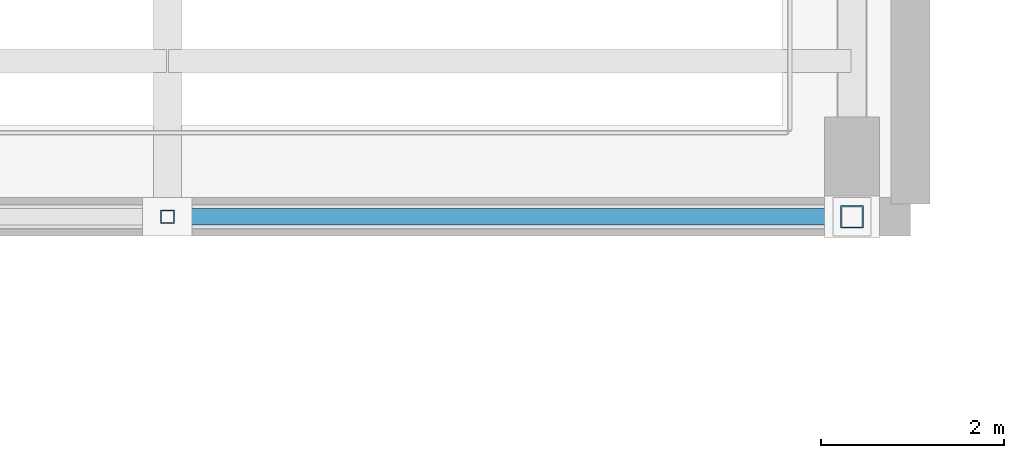
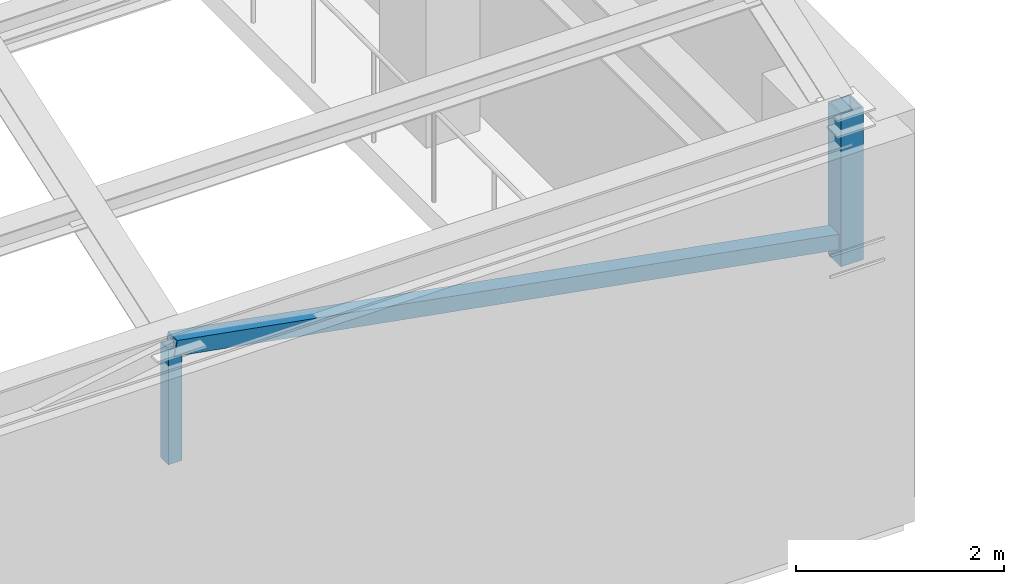
# One storey, part 22 of 76: 3 members.
"""IFC4 building model written with IfcOpenShell, lengths in metres."""

from ifc_helpers import new_model, si_unit, direction, frame, origin, origin_2d, place, context, subcontext, project, spatial, hollow_rectangle, extrude, material, material_profile, profile_set, type_object, element, save


model = new_model("IFC4")

# Units and contexts
model_context = context("Model", 3, precision=1e-05, world=origin(), true_north=direction((0.0, 1.0)))
body_context = subcontext(model_context, "Body", "Model", "MODEL_VIEW")
ifc_project = project(units=[si_unit("LENGTHUNIT", "METRE"), si_unit("AREAUNIT", "SQUARE_METRE"), si_unit("VOLUMEUNIT", "CUBIC_METRE"), si_unit("PLANEANGLEUNIT", "RADIAN"), si_unit("MASSUNIT", "GRAM", prefix="KILO")], contexts=[model_context])

# Site, building, storey
site_placement = place(None, origin())
site = spatial("IfcSite", under=ifc_project, at=site_placement, CompositionType="ELEMENT")
building_placement = place(site_placement, origin())
building = spatial("IfcBuilding", under=site, at=building_placement, Name="Cinchona Park Media Centre", CompositionType="ELEMENT")
storey_placement = place(building_placement, frame((0.0, 0.0, 15.60009765625)))
storey = spatial("IfcBuildingStorey", under=building, at=storey_placement, Name="L03", CompositionType="ELEMENT", Elevation=15.60009765625)

# Members
ifc_material_1 = material(Name="Steel S355", Category="steel")
ifc_material_profile_1 = material_profile(ifc_material_1, hollow_rectangle(XDim=0.25, YDim=0.25, WallThickness=0.01611328125, at=origin_2d()), Name="250X250X16SHS")
ifc_profile_set_1 = profile_set([ifc_material_profile_1], Name="Steel S355")
member_type_1 = type_object("IfcMemberType", Name="MEMBER-TS02-SHS250X250X16", PredefinedType="STRUT", material=ifc_profile_set_1)
member_1_placement = place(storey_placement, frame((45.360107421875, 102.0, 3.199951171875), z_axis=(0.0, 0.0, 1.0), x_axis=(1.0, 0.0, 0.0)))
element("IfcMember", 1, at=member_1_placement, inside=storey, type_object=member_type_1, Name="Sawtooth Bearing Post TS02 V2 B1", PredefinedType="STRUT", context=body_context, shape_type="SweptSolid", body=[
    extrude(hollow_rectangle(XDim=0.25, YDim=0.25, WallThickness=0.01611328125, at=origin_2d()), origin(), (0.0, 0.0, 1.0), 1.7900390625),
])
ifc_material_2 = material(Name="Steel S355", Category="steel")
ifc_material_profile_2 = material_profile(ifc_material_2, hollow_rectangle(XDim=0.14990234375, YDim=0.14990234375, WallThickness=0.010009765625, at=origin_2d()), Name="150X150X10SHS")
ifc_profile_set_2 = profile_set([ifc_material_profile_2], Name="Steel S355")
member_type_2 = type_object("IfcMemberType", Name="MEMBER-TS03-SHS150X150X10", PredefinedType="STRUT", material=ifc_profile_set_2)
member_2_placement = place(storey_placement, frame((37.8701171875, 102.0, 3.449951171875), z_axis=(0.0, 0.0, 1.0), x_axis=(1.0, 0.0, 0.0)))
element("IfcMember", 2, at=member_2_placement, inside=storey, type_object=member_type_2, Name="ROOF TRUSS Vertical Strut TN3", PredefinedType="STRUT", context=body_context, shape_type="SweptSolid", body=[
    extrude(hollow_rectangle(XDim=0.14990234375, YDim=0.14990234375, WallThickness=0.010009765625, at=origin_2d()), origin(), (0.0, 0.0, 1.0), 1.349853515625),
])
ifc_material_3 = material(Name="Steel S355", Category="steel")
ifc_material_profile_3 = material_profile(ifc_material_3, hollow_rectangle(XDim=0.179931640625, YDim=0.179931640625, WallThickness=0.012451171875, at=origin_2d()), Name="180X180X12.5SHS")
ifc_profile_set_3 = profile_set([ifc_material_profile_3], Name="Steel S355")
member_type_3 = type_object("IfcMemberType", Name="MEMBER-TS04-SHS180X180X12.5", PredefinedType="STRUT", material=ifc_profile_set_3)
member_3_placement = place(storey_placement, frame((37.8701171875, 102.0, 4.7998046875), z_axis=(0.984145381083, 0.0, -0.177363662832), x_axis=(0.0, 1.0, 0.0)))
element("IfcMember", 3, at=member_3_placement, inside=storey, type_object=member_type_3, Name="ROOF TRUSS Web Diagonal TN4", PredefinedType="STRUT", context=body_context, shape_type="SweptSolid", body=[
    extrude(hollow_rectangle(XDim=0.179931640625, YDim=0.179931640625, WallThickness=0.012451171875, at=origin_2d()), origin(), (0.0, 0.0, 1.0), 7.610595703125),
])

save(model, "model.ifc")
